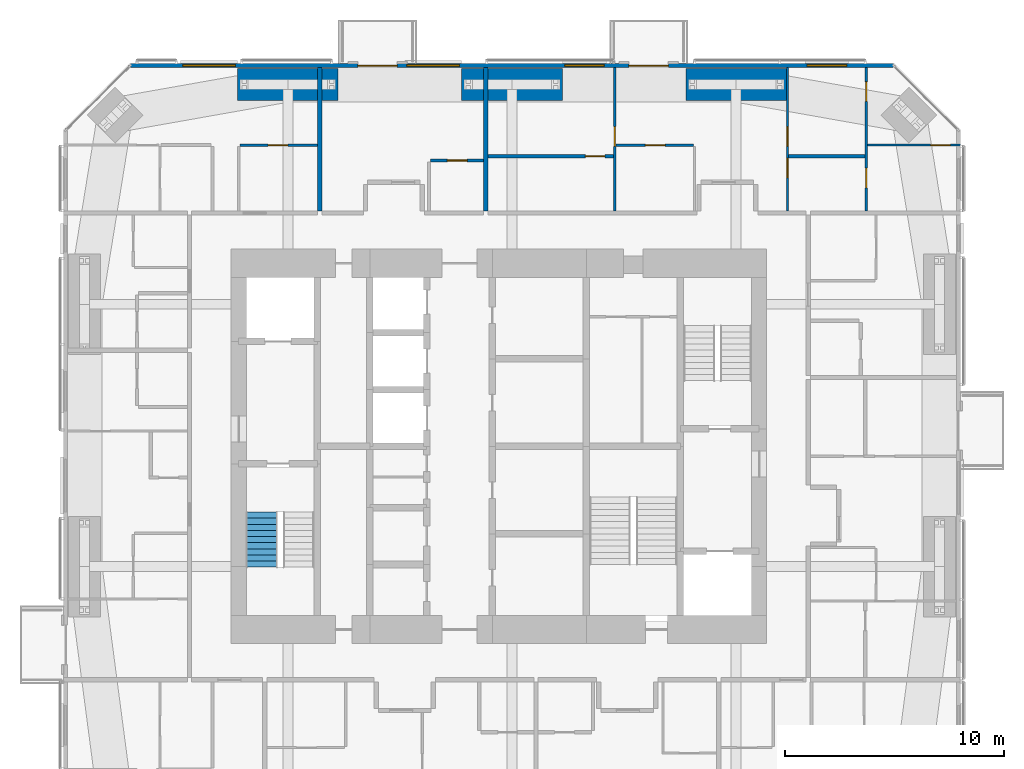
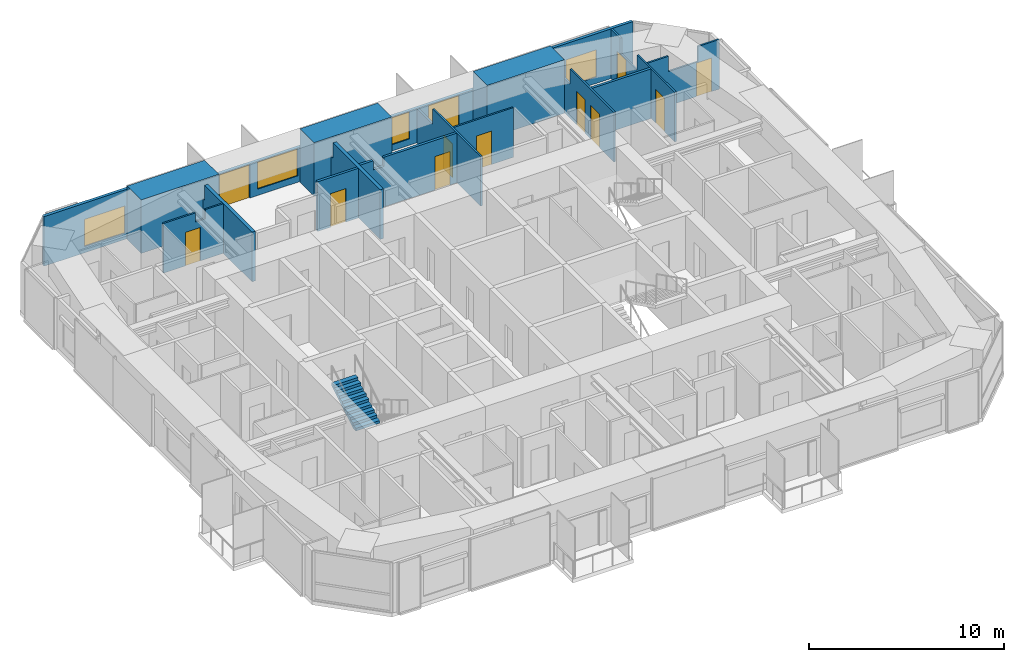
# One storey, part 21 of 23: 15 walls, 12 doors, 4 windows, 1 stair flight, 16 openings, 1 element without a shape of its own.
"""IFC4 building model written with IfcOpenShell, lengths in metres."""

from ifc_helpers import new_model, si_unit, direction, frame, frame_2d, origin, place, context, subcontext, project, spatial, polyline, rectangle, outline, extrude, material, layer, layer_set, constituent, constituent_set, type_object, element, fill, aggregate, save


model = new_model("IFC4")

# Units and contexts
model_context = context("Model", 3, precision=1e-05, world=origin(), true_north=direction((0.0, 1.0)))
body_context = subcontext(model_context, "Body", "Model", "MODEL_VIEW")
ifc_project = project(units=[si_unit("LENGTHUNIT", "METRE"), si_unit("AREAUNIT", "SQUARE_METRE"), si_unit("VOLUMEUNIT", "CUBIC_METRE"), si_unit("PLANEANGLEUNIT", "RADIAN"), si_unit("MASSUNIT", "GRAM", prefix="KILO")], contexts=[model_context])

# Site, building, storey
site_placement = place(None, origin())
site = spatial("IfcSite", under=ifc_project, at=site_placement, CompositionType="ELEMENT")
building_placement = place(site_placement, origin())
building = spatial("IfcBuilding", under=site, at=building_placement, Name="Jalousie Tower", CompositionType="ELEMENT")
storey_placement = place(building_placement, frame((0.0, 0.0, 164.39990234375)))
storey = spatial("IfcBuildingStorey", under=building, at=storey_placement, Name="L44", CompositionType="ELEMENT", Elevation=164.39990234375)

# Wall, opening, door
ifc_material_1 = material(Name="Concrete block ASTM C90", Category="concrete")
ifc_constituent_1 = constituent(ifc_material_1, Name="Body")
ifc_material_2 = material(Name="Render")
ifc_constituent_2 = constituent(ifc_material_2, Name="Finish")
ifc_constituent_set_1 = constituent_set(constituents=[ifc_constituent_1, ifc_constituent_2])
wall_type_1 = type_object("IfcWallType", Name="BATHROOM WALL 150", PredefinedType="PLUMBINGWALL", material=ifc_constituent_set_1)
wall_1_placement = place(storey_placement, frame((28.77490234375, 31.574951171875, 0.0), z_axis=(0.0, 0.0, 1.0), x_axis=(1.0, 0.0, 0.0)))
wall_1 = element("IfcWall", 1, at=wall_1_placement, inside=storey, type_object=wall_type_1, Name="Bathroom Wall 150 L44", PredefinedType="PLUMBINGWALL", context=body_context, shape_type="SweptSolid", body=[
    extrude(rectangle(XDim=2.425048828125, YDim=0.14990234375, at=frame_2d((1.21240234375, 0.0))), origin(), (0.0, 0.0, 1.0), 3.110107421875),
])
opening_1_placement = place(wall_1_placement, frame((0.77490234375, 0.0, 0.0)))
opening_1 = element("IfcOpeningElement", 2, at=opening_1_placement, cuts=wall_1, Name="Opening D3", PredefinedType="OPENING", context=body_context, shape_type="SweptSolid", body=[
    extrude(rectangle(XDim=0.89990234375, YDim=2.10009765625, at=frame_2d((0.449951171875, 1.050048828125))), frame((0.0, 0.0849609375, 0.0), z_axis=(0.0, -1.0, 0.0), x_axis=(1.0, 0.0, 0.0)), (0.0, 0.0, 1.0), 0.169921875),
])
ifc_material_3 = material(Name="Timber door", Category="wood")
door_type_1 = type_object("IfcDoorType", Name="BATHROOM DOOR 900", OperationType="SINGLE_SWING_LEFT", PredefinedType="DOOR", material=ifc_material_3)
door_1_placement = place(opening_1_placement, frame((0.89990234375, 0.0, 0.0), z_axis=(0.0, 0.0, 1.0), x_axis=(-1.0, 0.0, 0.0)))
door_1 = element("IfcDoor", 3, at=door_1_placement, inside=storey, type_object=door_type_1, Name="Apartment 4406 bathroom door", OperationType="SINGLE_SWING_LEFT", OverallHeight=2.10009765625, OverallWidth=0.89990234375, PredefinedType="DOOR", context=body_context, shape_type="SweptSolid", body=[
    extrude(rectangle(XDim=0.89990234375, YDim=2.10009765625, at=frame_2d((0.449951171875, 1.050048828125))), frame((0.0, 0.02490234375, 0.0), z_axis=(0.0, -1.0, 0.0), x_axis=(1.0, 0.0, 0.0)), (0.0, 0.0, 1.0), 0.050048828125),
])
fill(opening_1, door_1)

wall_2_placement = place(storey_placement, frame((31.39990234375, 31.77490234375, 0.0), z_axis=(0.0, 0.0, 1.0), x_axis=(1.0, 0.0, 0.0)))
wall_2 = element("IfcWall", 4, at=wall_2_placement, inside=storey, type_object=wall_type_1, Name="Bathroom Wall 150 L44", PredefinedType="PLUMBINGWALL", context=body_context, shape_type="SweptSolid", body=[
    extrude(outline(polyline([(0.0, 0.0), (5.75, 0.0), (5.75, 3.110107421875), (1.412353515625, 3.110107421875), (1.412353515625, 2.541015625), (0.78759765625, 2.541015625), (0.78759765625, 3.110107421875), (0.0, 3.110107421875), (0.0, 0.0)])), frame((0.0, 0.074951171875, 0.0), z_axis=(0.0, -1.0, 0.0), x_axis=(1.0, 0.0, 0.0)), (0.0, 0.0, 1.0), 0.14990234375),
])
opening_2_placement = place(wall_2_placement, frame((4.449951171875, 0.0, 0.0)))
opening_2 = element("IfcOpeningElement", 5, at=opening_2_placement, cuts=wall_2, Name="Opening D3", PredefinedType="OPENING", context=body_context, shape_type="SweptSolid", body=[
    extrude(rectangle(XDim=0.89990234375, YDim=2.10009765625, at=frame_2d((0.449951171875, 1.050048828125))), frame((0.0, 0.0849609375, 0.0), z_axis=(0.0, -1.0, 0.0), x_axis=(1.0, 0.0, 0.0)), (0.0, 0.0, 1.0), 0.169921875),
])
door_2_placement = place(opening_2_placement, frame((0.89990234375, 0.0, 0.0), z_axis=(0.0, 0.0, 1.0), x_axis=(-1.0, 0.0, 0.0)))
door_2 = element("IfcDoor", 6, at=door_2_placement, inside=storey, type_object=door_type_1, Name="Apartment 4407 bedroom 1 bathroom door", OperationType="SINGLE_SWING_LEFT", OverallHeight=2.10009765625, OverallWidth=0.89990234375, PredefinedType="DOOR", context=body_context, shape_type="SweptSolid", body=[
    extrude(rectangle(XDim=0.89990234375, YDim=2.10009765625, at=frame_2d((0.449951171875, 1.050048828125))), frame((0.0, 0.02490234375, 0.0), z_axis=(0.0, -1.0, 0.0), x_axis=(1.0, 0.0, 0.0)), (0.0, 0.0, 1.0), 0.050048828125),
])
fill(opening_2, door_2)

# Wall
wall_3_placement = place(storey_placement, frame((45.14990234375, 31.77490234375, 0.0), z_axis=(0.0, 0.0, 1.0), x_axis=(1.0, 0.0, 0.0)))
element("IfcWall", 7, at=wall_3_placement, inside=storey, type_object=wall_type_1, Name="Bathroom Wall 150 L44", PredefinedType="PLUMBINGWALL", context=body_context, shape_type="SweptSolid", body=[
    extrude(rectangle(XDim=3.5, YDim=0.14990234375, at=frame_2d((1.75, 0.0))), origin(), (0.0, 0.0, 1.0), 3.110107421875),
])

# Wall, openings, doors, windows
ifc_material_4 = material(Name="Concrete f'c 40 MPa", Category="concrete")
ifc_constituent_3 = constituent(ifc_material_4, Name="Body")
ifc_material_5 = material(Name="Render, pastel lemon")
ifc_constituent_4 = constituent(ifc_material_5, Name="Finish")
ifc_constituent_set_2 = constituent_set(constituents=[ifc_constituent_3, ifc_constituent_4])
wall_type_2 = type_object("IfcWallType", Name="EXTERNAL WALL 175 LEMON RENDER", PredefinedType="SOLIDWALL", material=ifc_constituent_set_2)
wall_4_placement = place(storey_placement, frame((49.94873046875, 35.91259765625, 0.0), z_axis=(0.0, 0.0, 1.0), x_axis=(-1.0, 0.0, 0.0)))
wall_4 = element("IfcWall", 8, at=wall_4_placement, inside=storey, type_object=wall_type_2, Name="External Wall 175 Lemon Render L44", PredefinedType="SOLIDWALL", context=body_context, shape_type="SweptSolid", body=[
    extrude(outline(polyline([(0.0, 0.0), (34.8974609375, 0.0), (34.8974609375, 3.110107421875), (27.91015625, 3.110107421875), (27.91015625, 2.150146484375), (27.8359375, 2.150146484375), (27.8359375, 3.110107421875), (27.69873046875, 3.110107421875), (27.69873046875, 2.150146484375), (7.19873046875, 2.150146484375), (7.19873046875, 3.110107421875), (7.0615234375, 3.110107421875), (7.0615234375, 2.150146484375), (6.9873046875, 2.150146484375), (6.9873046875, 3.110107421875), (0.0, 3.110107421875), (0.0, 0.0)])), frame((0.0, 0.08740234375, 0.0), z_axis=(0.0, -1.0, 0.0), x_axis=(1.0, 0.0, 0.0)), (0.0, 0.0, 1.0), 0.175048828125),
])
opening_3_placement = place(wall_4_placement, frame((2.148681640625, 0.0, 0.39990234375)))
opening_3 = element("IfcOpeningElement", 9, at=opening_3_placement, cuts=wall_4, Name="Opening W-BED170", PredefinedType="OPENING", context=body_context, shape_type="SweptSolid", body=[
    extrude(rectangle(XDim=1.800048828125, YDim=1.699951171875, at=frame_2d((0.89990234375, 0.85009765625))), frame((0.0, 0.097412109375, 0.0), z_axis=(0.0, -1.0, 0.0), x_axis=(1.0, 0.0, 0.0)), (0.0, 0.0, 1.0), 0.195068359375),
])
opening_4_placement = place(wall_4_placement, frame((10.298583984375, 0.0, 0.0)))
opening_4 = element("IfcOpeningElement", 10, at=opening_4_placement, cuts=wall_4, Name="Opening D-BAL21", PredefinedType="OPENING", context=body_context, shape_type="SweptSolid", body=[
    extrude(rectangle(XDim=1.800048828125, YDim=2.10009765625, at=frame_2d((0.89990234375, 1.050048828125))), frame((0.0, 0.097412109375, 0.0), z_axis=(0.0, -1.0, 0.0), x_axis=(1.0, 0.0, 0.0)), (0.0, 0.0, 1.0), 0.195068359375),
])
opening_5_placement = place(wall_4_placement, frame((13.231201171875, 0.0, 0.39990234375)))
opening_5 = element("IfcOpeningElement", 11, at=opening_5_placement, cuts=wall_4, Name="Opening W-BED170", PredefinedType="OPENING", context=body_context, shape_type="SweptSolid", body=[
    extrude(rectangle(XDim=1.800048828125, YDim=1.699951171875, at=frame_2d((0.89990234375, 0.85009765625))), frame((0.0, 0.097412109375, 0.0), z_axis=(0.0, -1.0, 0.0), x_axis=(1.0, 0.0, 0.0)), (0.0, 0.0, 1.0), 0.195068359375),
])
opening_6_placement = place(wall_4_placement, frame((22.69873046875, 0.0, 0.0)))
opening_6 = element("IfcOpeningElement", 12, at=opening_6_placement, cuts=wall_4, Name="Opening D-BAL21", PredefinedType="OPENING", context=body_context, shape_type="SweptSolid", body=[
    extrude(rectangle(XDim=1.800048828125, YDim=2.10009765625, at=frame_2d((0.89990234375, 1.050048828125))), frame((0.0, 0.097412109375, 0.0), z_axis=(0.0, -1.0, 0.0), x_axis=(1.0, 0.0, 0.0)), (0.0, 0.0, 1.0), 0.195068359375),
])
opening_7_placement = place(wall_4_placement, frame((19.85302734375, 0.0, 0.39990234375)))
opening_7 = element("IfcOpeningElement", 13, at=opening_7_placement, cuts=wall_4, Name="Opening W-LIV170", PredefinedType="OPENING", context=body_context, shape_type="SweptSolid", body=[
    extrude(rectangle(XDim=2.39990234375, YDim=1.699951171875, at=frame_2d((1.199951171875, 0.85009765625))), frame((0.0, 0.097412109375, 0.0), z_axis=(0.0, -1.0, 0.0), x_axis=(1.0, 0.0, 0.0)), (0.0, 0.0, 1.0), 0.195068359375),
])
opening_8_placement = place(wall_4_placement, frame((30.104248046875, 0.0, 0.39990234375)))
opening_8 = element("IfcOpeningElement", 14, at=opening_8_placement, cuts=wall_4, Name="Opening W-LIV170", PredefinedType="OPENING", context=body_context, shape_type="SweptSolid", body=[
    extrude(rectangle(XDim=2.39990234375, YDim=1.699951171875, at=frame_2d((1.199951171875, 0.85009765625))), frame((0.0, 0.097412109375, 0.0), z_axis=(0.0, -1.0, 0.0), x_axis=(1.0, 0.0, 0.0)), (0.0, 0.0, 1.0), 0.195068359375),
])
ifc_material_6 = material(Name="Aluminium frame, impact-rated glazing", Category="aluminium")
door_type_2 = type_object("IfcDoorType", Name="BALCONY DOOR 1800x2100", OperationType="SLIDING_TO_LEFT", PredefinedType="DOOR", material=ifc_material_6)
door_3_placement = place(opening_4_placement, origin())
door_3 = element("IfcDoor", 15, at=door_3_placement, inside=storey, type_object=door_type_2, Name="Apartment 4407 living and dining room balcony door", OperationType="SLIDING_TO_LEFT", OverallHeight=2.10009765625, OverallWidth=1.800048828125, PredefinedType="DOOR", context=body_context, shape_type="SweptSolid", body=[
    extrude(rectangle(XDim=1.800048828125, YDim=2.10009765625, at=frame_2d((0.89990234375, 1.050048828125))), frame((0.0, 0.02490234375, 0.0), z_axis=(0.0, -1.0, 0.0), x_axis=(1.0, 0.0, 0.0)), (0.0, 0.0, 1.0), 0.050048828125),
])
fill(opening_4, door_3)
door_4_placement = place(opening_6_placement, origin())
door_4 = element("IfcDoor", 16, at=door_4_placement, inside=storey, type_object=door_type_2, Name="Apartment 4406 studio kitchen, living and sleeping room balcony door", OperationType="SLIDING_TO_LEFT", OverallHeight=2.10009765625, OverallWidth=1.800048828125, PredefinedType="DOOR", context=body_context, shape_type="SweptSolid", body=[
    extrude(rectangle(XDim=1.800048828125, YDim=2.10009765625, at=frame_2d((0.89990234375, 1.050048828125))), frame((0.0, 0.02490234375, 0.0), z_axis=(0.0, -1.0, 0.0), x_axis=(1.0, 0.0, 0.0)), (0.0, 0.0, 1.0), 0.050048828125),
])
fill(opening_6, door_4)
ifc_material_7 = material(Name="Aluminium frame, impact-rated glazing", Category="aluminium")
window_type_1 = type_object("IfcWindowType", Name="WINDOW BED 1800x1700", PartitioningType="SINGLE_PANEL", PredefinedType="WINDOW", material=ifc_material_7)
window_1_placement = place(opening_3_placement, origin())
window_1 = element("IfcWindow", 17, at=window_1_placement, inside=storey, type_object=window_type_1, Name="Apartment 4407 bedroom 2 window", OverallHeight=1.699951171875, OverallWidth=1.800048828125, PartitioningType="SINGLE_PANEL", PredefinedType="WINDOW", context=body_context, shape_type="SweptSolid", body=[
    extrude(rectangle(XDim=1.800048828125, YDim=1.699951171875, at=frame_2d((0.89990234375, 0.85009765625))), frame((0.0, 0.030029296875, 0.0), z_axis=(0.0, -1.0, 0.0), x_axis=(1.0, 0.0, 0.0)), (0.0, 0.0, 1.0), 0.06005859375),
])
fill(opening_3, window_1)
window_2_placement = place(opening_5_placement, origin())
window_2 = element("IfcWindow", 18, at=window_2_placement, inside=storey, type_object=window_type_1, Name="Apartment 4407 bedroom 1 window", OverallHeight=1.699951171875, OverallWidth=1.800048828125, PartitioningType="SINGLE_PANEL", PredefinedType="WINDOW", context=body_context, shape_type="SweptSolid", body=[
    extrude(rectangle(XDim=1.800048828125, YDim=1.699951171875, at=frame_2d((0.89990234375, 0.85009765625))), frame((0.0, 0.030029296875, 0.0), z_axis=(0.0, -1.0, 0.0), x_axis=(1.0, 0.0, 0.0)), (0.0, 0.0, 1.0), 0.06005859375),
])
fill(opening_5, window_2)
ifc_material_8 = material(Name="Aluminium frame, impact-rated glazing", Category="aluminium")
window_type_2 = type_object("IfcWindowType", Name="WINDOW LIV 2400x1700", PartitioningType="DOUBLE_PANEL_VERTICAL", PredefinedType="WINDOW", material=ifc_material_8)
window_3_placement = place(opening_7_placement, origin())
window_3 = element("IfcWindow", 19, at=window_3_placement, inside=storey, type_object=window_type_2, Name="Apartment 4406 studio kitchen, living and sleeping room window", OverallHeight=1.699951171875, OverallWidth=2.39990234375, PartitioningType="SINGLE_PANEL", PredefinedType="WINDOW", context=body_context, shape_type="SweptSolid", body=[
    extrude(rectangle(XDim=2.39990234375, YDim=1.699951171875, at=frame_2d((1.199951171875, 0.85009765625))), frame((0.0, 0.030029296875, 0.0), z_axis=(0.0, -1.0, 0.0), x_axis=(1.0, 0.0, 0.0)), (0.0, 0.0, 1.0), 0.06005859375),
])
fill(opening_7, window_3)
window_4_placement = place(opening_8_placement, origin())
window_4 = element("IfcWindow", 20, at=window_4_placement, inside=storey, type_object=window_type_2, Name="Apartment 4405 living and dining room window", OverallHeight=1.699951171875, OverallWidth=2.39990234375, PartitioningType="SINGLE_PANEL", PredefinedType="WINDOW", context=body_context, shape_type="SweptSolid", body=[
    extrude(rectangle(XDim=2.39990234375, YDim=1.699951171875, at=frame_2d((1.199951171875, 0.85009765625))), frame((0.0, 0.030029296875, 0.0), z_axis=(0.0, -1.0, 0.0), x_axis=(1.0, 0.0, 0.0)), (0.0, 0.0, 1.0), 0.06005859375),
])
fill(opening_8, window_4)

# Wall, opening, door
ifc_material_9 = material(Name="Gypsum board", Category="gypsum")
ifc_constituent_5 = constituent(ifc_material_9, Name="Body")
ifc_material_10 = material(Name="Light-gauge steel studs ASTM A653 SS Grade 33", Category="steel")
ifc_constituent_6 = constituent(ifc_material_10, Name="Framing")
ifc_constituent_set_3 = constituent_set(constituents=[ifc_constituent_5, ifc_constituent_6])
wall_type_3 = type_object("IfcWallType", Name="PARTITION 100", PredefinedType="PARTITIONING", material=ifc_constituent_set_3)
wall_5_placement = place(storey_placement, frame((20.050048828125, 32.27490234375, 0.0), z_axis=(0.0, 0.0, 1.0), x_axis=(1.0, 0.0, 0.0)))
wall_5 = element("IfcWall", 21, at=wall_5_placement, inside=storey, type_object=wall_type_3, Name="Partition 100 L44", PredefinedType="PARTITIONING", context=body_context, shape_type="SweptSolid", body=[
    extrude(outline(polyline([(0.0, 0.0), (3.550048828125, 0.0), (3.550048828125, 3.110107421875), (2.4873046875, 3.110107421875), (2.4873046875, 2.541015625), (1.91259765625, 2.541015625), (1.91259765625, 3.110107421875), (0.0, 3.110107421875), (0.0, 0.0)])), frame((0.0, 0.050048828125, 0.0), z_axis=(0.0, -1.0, 0.0), x_axis=(1.0, 0.0, 0.0)), (0.0, 0.0, 1.0), 0.10009765625),
])
opening_9_placement = place(wall_5_placement, frame((1.300048828125, 0.0, 0.0)))
opening_9 = element("IfcOpeningElement", 22, at=opening_9_placement, cuts=wall_5, Name="Opening D7", PredefinedType="OPENING", context=body_context, shape_type="SweptSolid", body=[
    extrude(rectangle(XDim=0.89990234375, YDim=2.10009765625, at=frame_2d((0.449951171875, 1.050048828125))), frame((0.0, 0.06005859375, 0.0), z_axis=(0.0, -1.0, 0.0), x_axis=(1.0, 0.0, 0.0)), (0.0, 0.0, 1.0), 0.1201171875),
])
ifc_material_11 = material(Name="Timber door", Category="wood")
door_type_3 = type_object("IfcDoorType", Name="INTERNAL DOOR 900", OperationType="SINGLE_SWING_LEFT", PredefinedType="DOOR", material=ifc_material_11)
door_5_placement = place(opening_9_placement, origin())
door_5 = element("IfcDoor", 23, at=door_5_placement, inside=storey, type_object=door_type_3, Name="Apartment 4405 kitchen door", OperationType="SINGLE_SWING_RIGHT", OverallHeight=2.10009765625, OverallWidth=0.89990234375, PredefinedType="DOOR", context=body_context, shape_type="SweptSolid", body=[
    extrude(rectangle(XDim=0.89990234375, YDim=2.10009765625, at=frame_2d((0.449951171875, 1.050048828125))), frame((0.0, 0.02490234375, 0.0), z_axis=(0.0, -1.0, 0.0), x_axis=(1.0, 0.0, 0.0)), (0.0, 0.0, 1.0), 0.050048828125),
])
fill(opening_9, door_5)

wall_6_placement = place(storey_placement, frame((37.199951171875, 35.824951171875, 0.0), z_axis=(0.0, 0.0, 1.0), x_axis=(0.0, -1.0, 0.0)))
wall_6 = element("IfcWall", 24, at=wall_6_placement, inside=storey, type_object=wall_type_3, Name="Partition 100 L44", PredefinedType="PARTITIONING", context=body_context, shape_type="SweptSolid", body=[
    extrude(outline(polyline([(0.0, 0.0), (6.550048828125, 0.0), (6.550048828125, 3.110107421875), (1.635009765625, 3.110107421875), (1.635009765625, 2.150146484375), (0.0, 2.150146484375), (0.0, 3.110107421875), (0.0, 0.0)])), frame((0.0, 0.050048828125, 0.0), z_axis=(0.0, -1.0, 0.0), x_axis=(1.0, 0.0, 0.0)), (0.0, 0.0, 1.0), 0.10009765625),
])
opening_10_placement = place(wall_6_placement, frame((2.699951171875, 0.0, 0.0)))
opening_10 = element("IfcOpeningElement", 25, at=opening_10_placement, cuts=wall_6, Name="Opening D2", PredefinedType="OPENING", context=body_context, shape_type="SweptSolid", body=[
    extrude(rectangle(XDim=0.89990234375, YDim=2.10009765625, at=frame_2d((0.449951171875, 1.050048828125))), frame((0.0, 0.06005859375, 0.0), z_axis=(0.0, -1.0, 0.0), x_axis=(1.0, 0.0, 0.0)), (0.0, 0.0, 1.0), 0.1201171875),
])
ifc_material_12 = material(Name="Timber door", Category="wood")
door_type_4 = type_object("IfcDoorType", Name="BEDROOM DOOR 900", OperationType="SINGLE_SWING_LEFT", PredefinedType="DOOR", material=ifc_material_12)
door_6_placement = place(opening_10_placement, frame((0.89990234375, 0.0, 0.0), z_axis=(0.0, 0.0, 1.0), x_axis=(-1.0, 0.0, 0.0)))
door_6 = element("IfcDoor", 26, at=door_6_placement, inside=storey, type_object=door_type_4, Name="Apartment 4407 bedroom 1 door", OperationType="SINGLE_SWING_LEFT", OverallHeight=2.10009765625, OverallWidth=0.89990234375, PredefinedType="DOOR", context=body_context, shape_type="SweptSolid", body=[
    extrude(rectangle(XDim=0.89990234375, YDim=2.10009765625, at=frame_2d((0.449951171875, 1.050048828125))), frame((0.0, 0.02490234375, 0.0), z_axis=(0.0, -1.0, 0.0), x_axis=(1.0, 0.0, 0.0)), (0.0, 0.0, 1.0), 0.050048828125),
])
fill(opening_10, door_6)

# Wall, openings, doors
wall_7_placement = place(storey_placement, frame((45.10009765625, 35.824951171875, 0.0), z_axis=(0.0, 0.0, 1.0), x_axis=(0.0, -1.0, 0.0)))
wall_7 = element("IfcWall", 27, at=wall_7_placement, inside=storey, type_object=wall_type_3, Name="Partition 100 L44", PredefinedType="PARTITIONING", context=body_context, shape_type="SweptSolid", body=[
    extrude(outline(polyline([(0.0, 0.0), (6.550048828125, 0.0), (6.550048828125, 3.110107421875), (2.064208984375, 3.110107421875), (2.064208984375, 2.150146484375), (0.317626953125, 2.150146484375), (0.317626953125, 3.110107421875), (0.0, 3.110107421875), (0.0, 0.0)])), frame((0.0, 0.050048828125, 0.0), z_axis=(0.0, -1.0, 0.0), x_axis=(1.0, 0.0, 0.0)), (0.0, 0.0, 1.0), 0.10009765625),
])
opening_11_placement = place(wall_7_placement, frame((2.699951171875, 0.0, 0.0)))
opening_11 = element("IfcOpeningElement", 28, at=opening_11_placement, cuts=wall_7, Name="Opening D2", PredefinedType="OPENING", context=body_context, shape_type="SweptSolid", body=[
    extrude(rectangle(XDim=0.89990234375, YDim=2.10009765625, at=frame_2d((0.449951171875, 1.050048828125))), frame((0.0, 0.06005859375, 0.0), z_axis=(0.0, -1.0, 0.0), x_axis=(1.0, 0.0, 0.0)), (0.0, 0.0, 1.0), 0.1201171875),
])
opening_12_placement = place(wall_7_placement, frame((4.14990234375, 0.0, 0.0)))
opening_12 = element("IfcOpeningElement", 29, at=opening_12_placement, cuts=wall_7, Name="Opening D7", PredefinedType="OPENING", context=body_context, shape_type="SweptSolid", body=[
    extrude(rectangle(XDim=0.89990234375, YDim=2.10009765625, at=frame_2d((0.449951171875, 1.050048828125))), frame((0.0, 0.06005859375, 0.0), z_axis=(0.0, -1.0, 0.0), x_axis=(1.0, 0.0, 0.0)), (0.0, 0.0, 1.0), 0.1201171875),
])
door_7_placement = place(opening_11_placement, origin())
door_7 = element("IfcDoor", 30, at=door_7_placement, inside=storey, type_object=door_type_4, Name="Apartment 4407 bedroom 2 door", OperationType="SINGLE_SWING_RIGHT", OverallHeight=2.10009765625, OverallWidth=0.89990234375, PredefinedType="DOOR", context=body_context, shape_type="SweptSolid", body=[
    extrude(rectangle(XDim=0.89990234375, YDim=2.10009765625, at=frame_2d((0.449951171875, 1.050048828125))), frame((0.0, 0.02490234375, 0.0), z_axis=(0.0, -1.0, 0.0), x_axis=(1.0, 0.0, 0.0)), (0.0, 0.0, 1.0), 0.050048828125),
])
fill(opening_11, door_7)
door_8_placement = place(opening_12_placement, origin())
door_8 = element("IfcDoor", 31, at=door_8_placement, inside=storey, type_object=door_type_3, Name="Apartment 4407 bathroom door", OperationType="SINGLE_SWING_LEFT", OverallHeight=2.10009765625, OverallWidth=0.89990234375, PredefinedType="DOOR", context=body_context, shape_type="SweptSolid", body=[
    extrude(rectangle(XDim=0.89990234375, YDim=2.10009765625, at=frame_2d((0.449951171875, 1.050048828125))), frame((0.0, 0.02490234375, 0.0), z_axis=(0.0, -1.0, 0.0), x_axis=(1.0, 0.0, 0.0)), (0.0, 0.0, 1.0), 0.050048828125),
])
fill(opening_12, door_8)

wall_8_placement = place(storey_placement, frame((48.699951171875, 35.824951171875, 0.0), z_axis=(0.0, 0.0, 1.0), x_axis=(0.0, -1.0, 0.0)))
wall_8 = element("IfcWall", 32, at=wall_8_placement, inside=storey, type_object=wall_type_3, Name="Partition 100 L44", PredefinedType="PARTITIONING", context=body_context, shape_type="SweptSolid", body=[
    extrude(outline(polyline([(0.0, 0.0), (6.550048828125, 0.0), (6.550048828125, 3.110107421875), (2.701416015625, 3.110107421875), (2.701416015625, 2.150146484375), (0.95458984375, 2.150146484375), (0.95458984375, 3.110107421875), (0.0, 3.110107421875), (0.0, 0.0)])), frame((0.0, 0.050048828125, 0.0), z_axis=(0.0, -1.0, 0.0), x_axis=(1.0, 0.0, 0.0)), (0.0, 0.0, 1.0), 0.10009765625),
])
opening_13_placement = place(wall_8_placement, frame((0.64990234375, 0.0, 0.0)))
opening_13 = element("IfcOpeningElement", 33, at=opening_13_placement, cuts=wall_8, Name="Opening D2", PredefinedType="OPENING", context=body_context, shape_type="SweptSolid", body=[
    extrude(rectangle(XDim=0.89990234375, YDim=2.10009765625, at=frame_2d((0.449951171875, 1.050048828125))), frame((0.0, 0.06005859375, 0.0), z_axis=(0.0, -1.0, 0.0), x_axis=(1.0, 0.0, 0.0)), (0.0, 0.0, 1.0), 0.1201171875),
])
opening_14_placement = place(wall_8_placement, frame((4.59814453125, 0.0, 0.0)))
opening_14 = element("IfcOpeningElement", 34, at=opening_14_placement, cuts=wall_8, Name="Opening D3", PredefinedType="OPENING", context=body_context, shape_type="SweptSolid", body=[
    extrude(rectangle(XDim=0.89990234375, YDim=2.10009765625, at=frame_2d((0.449951171875, 1.050048828125))), frame((0.0, 0.06005859375, 0.0), z_axis=(0.0, -1.0, 0.0), x_axis=(1.0, 0.0, 0.0)), (0.0, 0.0, 1.0), 0.1201171875),
])
door_9_placement = place(opening_14_placement, frame((0.89990234375, 0.0, 0.0), z_axis=(0.0, 0.0, 1.0), x_axis=(-1.0, 0.0, 0.0)))
door_9 = element("IfcDoor", 35, at=door_9_placement, inside=storey, type_object=door_type_1, Name="Apartment 4407 bedroom 3 bathroom door", OperationType="SINGLE_SWING_RIGHT", OverallHeight=2.10009765625, OverallWidth=0.89990234375, PredefinedType="DOOR", context=body_context, shape_type="SweptSolid", body=[
    extrude(rectangle(XDim=0.89990234375, YDim=2.10009765625, at=frame_2d((0.449951171875, 1.050048828125))), frame((0.0, 0.02490234375, 0.0), z_axis=(0.0, -1.0, 0.0), x_axis=(1.0, 0.0, 0.0)), (0.0, 0.0, 1.0), 0.050048828125),
])
fill(opening_14, door_9)
door_10_placement = place(opening_13_placement, frame((0.89990234375, 0.0, 0.0), z_axis=(0.0, 0.0, 1.0), x_axis=(-1.0, 0.0, 0.0)))
door_10 = element("IfcDoor", 36, at=door_10_placement, inside=storey, type_object=door_type_4, Name="Apartment 4407 bedroom 3 door", OperationType="SINGLE_SWING_RIGHT", OverallHeight=2.10009765625, OverallWidth=0.89990234375, PredefinedType="DOOR", context=body_context, shape_type="SweptSolid", body=[
    extrude(rectangle(XDim=0.89990234375, YDim=2.10009765625, at=frame_2d((0.449951171875, 1.050048828125))), frame((0.0, 0.02490234375, 0.0), z_axis=(0.0, -1.0, 0.0), x_axis=(1.0, 0.0, 0.0)), (0.0, 0.0, 1.0), 0.050048828125),
])
fill(opening_13, door_10)

# Wall, opening, door
wall_9_placement = place(storey_placement, frame((48.75, 32.27880859375, 0.0), z_axis=(0.0, 0.0, 1.0), x_axis=(1.0, 0.0, 0.0)))
wall_9 = element("IfcWall", 37, at=wall_9_placement, inside=storey, type_object=wall_type_3, Name="Partition 100 L44", PredefinedType="PARTITIONING", context=body_context, shape_type="SweptSolid", body=[
    extrude(outline(polyline([(0.0, 0.0), (4.25, 0.0), (4.25, 3.110107421875), (2.99462890625, 3.110107421875), (2.99462890625, 2.150146484375), (1.252197265625, 2.150146484375), (1.252197265625, 3.110107421875), (0.0, 3.110107421875), (0.0, 0.0)])), frame((0.0, 0.050048828125, 0.0), z_axis=(0.0, -1.0, 0.0), x_axis=(1.0, 0.0, 0.0)), (0.0, 0.0, 1.0), 0.10009765625),
])
opening_15_placement = place(wall_9_placement, frame((2.89990234375, 0.0, 0.0)))
opening_15 = element("IfcOpeningElement", 38, at=opening_15_placement, cuts=wall_9, Name="Opening D7", PredefinedType="OPENING", context=body_context, shape_type="SweptSolid", body=[
    extrude(rectangle(XDim=0.89990234375, YDim=2.10009765625, at=frame_2d((0.449951171875, 1.050048828125))), frame((0.0, 0.06005859375, 0.0), z_axis=(0.0, -1.0, 0.0), x_axis=(1.0, 0.0, 0.0)), (0.0, 0.0, 1.0), 0.1201171875),
])
door_11_placement = place(opening_15_placement, frame((0.89990234375, 0.0, 0.0), z_axis=(0.0, 0.0, 1.0), x_axis=(-1.0, 0.0, 0.0)))
door_11 = element("IfcDoor", 39, at=door_11_placement, inside=storey, type_object=door_type_3, Name="Apartment 4407 bedroom 3 dressing hall door", OperationType="SINGLE_SWING_LEFT", OverallHeight=2.10009765625, OverallWidth=0.89990234375, PredefinedType="DOOR", context=body_context, shape_type="SweptSolid", body=[
    extrude(rectangle(XDim=0.89990234375, YDim=2.10009765625, at=frame_2d((0.449951171875, 1.050048828125))), frame((0.0, 0.02490234375, 0.0), z_axis=(0.0, -1.0, 0.0), x_axis=(1.0, 0.0, 0.0)), (0.0, 0.0, 1.0), 0.050048828125),
])
fill(opening_15, door_11)

wall_10_placement = place(storey_placement, frame((37.25, 32.27490234375, 0.0), z_axis=(0.0, 0.0, 1.0), x_axis=(1.0, 0.0, 0.0)))
wall_10 = element("IfcWall", 40, at=wall_10_placement, inside=storey, type_object=wall_type_3, Name="Partition 100 L44", PredefinedType="PARTITIONING", context=body_context, shape_type="SweptSolid", body=[
    extrude(rectangle(XDim=3.550048828125, YDim=0.10009765625, at=frame_2d((1.77490234375, 0.0))), origin(), (0.0, 0.0, 1.0), 3.110107421875),
])
opening_16_placement = place(wall_10_placement, frame((1.35009765625, 0.0, 0.0)))
opening_16 = element("IfcOpeningElement", 41, at=opening_16_placement, cuts=wall_10, Name="Opening D7", PredefinedType="OPENING", context=body_context, shape_type="SweptSolid", body=[
    extrude(rectangle(XDim=0.89990234375, YDim=2.10009765625, at=frame_2d((0.449951171875, 1.050048828125))), frame((0.0, 0.06005859375, 0.0), z_axis=(0.0, -1.0, 0.0), x_axis=(1.0, 0.0, 0.0)), (0.0, 0.0, 1.0), 0.1201171875),
])
door_12_placement = place(opening_16_placement, origin())
door_12 = element("IfcDoor", 42, at=door_12_placement, inside=storey, type_object=door_type_3, Name="Apartment 4407 kitchen door", OperationType="SINGLE_SWING_LEFT", OverallHeight=2.10009765625, OverallWidth=0.89990234375, PredefinedType="DOOR", context=body_context, shape_type="SweptSolid", body=[
    extrude(rectangle(XDim=0.89990234375, YDim=2.10009765625, at=frame_2d((0.449951171875, 1.050048828125))), frame((0.0, 0.02490234375, 0.0), z_axis=(0.0, -1.0, 0.0), x_axis=(1.0, 0.0, 0.0)), (0.0, 0.0, 1.0), 0.050048828125),
])
fill(opening_16, door_12)

# Walls
ifc_material_13 = material(Name="Concrete block ASTM C90", Category="concrete")
ifc_constituent_7 = constituent(ifc_material_13, Name="Body")
ifc_material_14 = material(Name="Render")
ifc_constituent_8 = constituent(ifc_material_14, Name="Finish")
ifc_constituent_set_4 = constituent_set(constituents=[ifc_constituent_7, ifc_constituent_8])
wall_type_4 = type_object("IfcWallType", Name="PARTY WALL 200", PredefinedType="PARTITIONING", material=ifc_constituent_set_4)
wall_11_placement = place(storey_placement, frame((23.699951171875, 35.824951171875, 0.0), z_axis=(0.0, 0.0, 1.0), x_axis=(0.0, -1.0, 0.0)))
element("IfcWall", 43, at=wall_11_placement, inside=storey, type_object=wall_type_4, Name="Party Wall 200 L44", PredefinedType="PARTITIONING", context=body_context, shape_type="SweptSolid", body=[
    extrude(outline(polyline([(0.52880859375, 2.150146484375), (0.0, 2.150146484375), (0.0, 0.0), (0.52880859375, 0.0), (0.52880859375, 0.332275390625), (1.021240234375, 0.332275390625), (1.021240234375, 0.0), (6.550048828125, 0.0), (6.550048828125, 3.110107421875), (1.68505859375, 3.110107421875), (1.68505859375, 2.150146484375), (1.021240234375, 2.150146484375), (1.021240234375, 1.818115234375), (0.52880859375, 1.818115234375), (0.52880859375, 2.150146484375)])), frame((0.0, 0.10009765625, 0.0), z_axis=(0.0, -1.0, 0.0), x_axis=(1.0, 0.0, 0.0)), (0.0, 0.0, 1.0), 0.199951171875),
])
wall_12_placement = place(storey_placement, frame((31.300048828125, 35.824951171875, 0.0), z_axis=(0.0, 0.0, 1.0), x_axis=(0.0, -1.0, 0.0)))
element("IfcWall", 44, at=wall_12_placement, inside=storey, type_object=wall_type_4, Name="Party Wall 200 L44", PredefinedType="PARTITIONING", context=body_context, shape_type="SweptSolid", body=[
    extrude(outline(polyline([(0.52880859375, 2.150146484375), (0.0, 2.150146484375), (0.0, 0.0), (0.52880859375, 0.0), (0.52880859375, 0.54150390625), (1.021240234375, 0.54150390625), (1.021240234375, 0.0), (6.550048828125, 0.0), (6.550048828125, 3.110107421875), (1.68505859375, 3.110107421875), (1.68505859375, 2.150146484375), (1.021240234375, 2.150146484375), (1.021240234375, 1.608642578125), (0.52880859375, 1.608642578125), (0.52880859375, 2.150146484375)])), frame((0.0, 0.10009765625, 0.0), z_axis=(0.0, -1.0, 0.0), x_axis=(1.0, 0.0, 0.0)), (0.0, 0.0, 1.0), 0.199951171875),
])
ifc_material_15 = material(Name="Concrete f'c 120 MPa", Category="concrete")
ifc_layer = layer(ifc_material_15, 1.449951171875)
ifc_layer_set = layer_set([ifc_layer], Name="Concrete f'c 120 MPa")
wall_type_5 = type_object("IfcWallType", Name="RC WALL PIER 1450", PredefinedType="SHEAR", material=ifc_layer_set)
for number, where, z_axis, x_axis, name in (
    (45, (40.449951171875, 35.050048828125, 0.0), (0.0, 0.0, 1.0), (1.0, 0.0, 0.0), "Wall pier 09 L44"),
    (46, (30.199951171875, 35.050048828125, 0.0), (0.0, 0.0, 1.0), (1.0, 0.0, 0.0), "Wall pier 10 L44"),
    (47, (19.949951171875, 35.050048828125, 0.0), (0.0, 0.0, 1.0), (1.0, 0.0, 0.0), "Wall pier 11 L44"),
):
    element("IfcWall", number, at=place(storey_placement, frame(where, z_axis=z_axis, x_axis=x_axis)), inside=storey, type_object=wall_type_5, Name=name, PredefinedType="SHEAR", context=body_context, shape_type="SweptSolid", body=[
        extrude(rectangle(XDim=4.60009765625, YDim=1.449951171875, at=frame_2d((2.300048828125, 0.0))), origin(), (0.0, 0.0, 1.0), 3.35009765625),
    ])

# Stair, stair flight
ifc_material_16 = material(Name="Concrete f'c 40 MPa", Category="concrete")
stair_type = type_object("IfcStairType", Name="EXIT STAIR", PredefinedType="HALF_TURN_STAIR", material=ifc_material_16)
stair_placement = place(storey_placement, origin())
stair = element("IfcStair", 48, at=stair_placement, inside=storey, type_object=stair_type, Name="Exit stair A L44", PredefinedType="HALF_TURN_STAIR")
ifc_material_17 = material(Name="Concrete f'c 40 MPa", Category="concrete")
stair_flight_type = type_object("IfcStairFlightType", Name="STAIR FLIGHT", PredefinedType="STRAIGHT", material=ifc_material_17)
stair_flight_placement = place(storey_placement, frame((21.0625, 12.9775390625, 1.675048828125), z_axis=(0.0, 0.0, 1.0), x_axis=(0.0, 1.0, 0.0)))
stair_flight = element("IfcStairFlight", 49, at=stair_flight_placement, type_object=stair_flight_type, Name="ST-A flight 2", NumberOfRisers=10, NumberOfTreads=9, PredefinedType="STRAIGHT", RiserHeight=0.1675, TreadLength=0.28, context=body_context, shape_type="SweptSolid", body=[
    extrude(outline(polyline([(0.0, 0.0), (0.0, 0.16748046875), (0.280029296875, 0.16748046875), (0.280029296875, 0.3349609375), (0.56005859375, 0.3349609375), (0.56005859375, 0.50244140625), (0.840087890625, 0.50244140625), (0.840087890625, 0.669921875), (1.1201171875, 0.669921875), (1.1201171875, 0.83740234375), (1.39990234375, 0.83740234375), (1.39990234375, 1.0048828125), (1.679931640625, 1.0048828125), (1.679931640625, 1.172607421875), (1.9599609375, 1.172607421875), (1.9599609375, 1.340087890625), (2.239990234375, 1.340087890625), (2.239990234375, 1.507568359375), (2.52001953125, 1.507568359375), (2.52001953125, 1.675048828125), (2.52001953125, 1.332763671875), (0.2919921875, 0.0), (0.0, 0.0)])), frame((0.0, 0.71240234375, 0.0), z_axis=(0.0, -1.0, 0.0), x_axis=(1.0, 0.0, 0.0)), (0.0, 0.0, 1.0), 1.425048828125),
])
aggregate(stair, [stair_flight])

save(model, "model.ifc")
